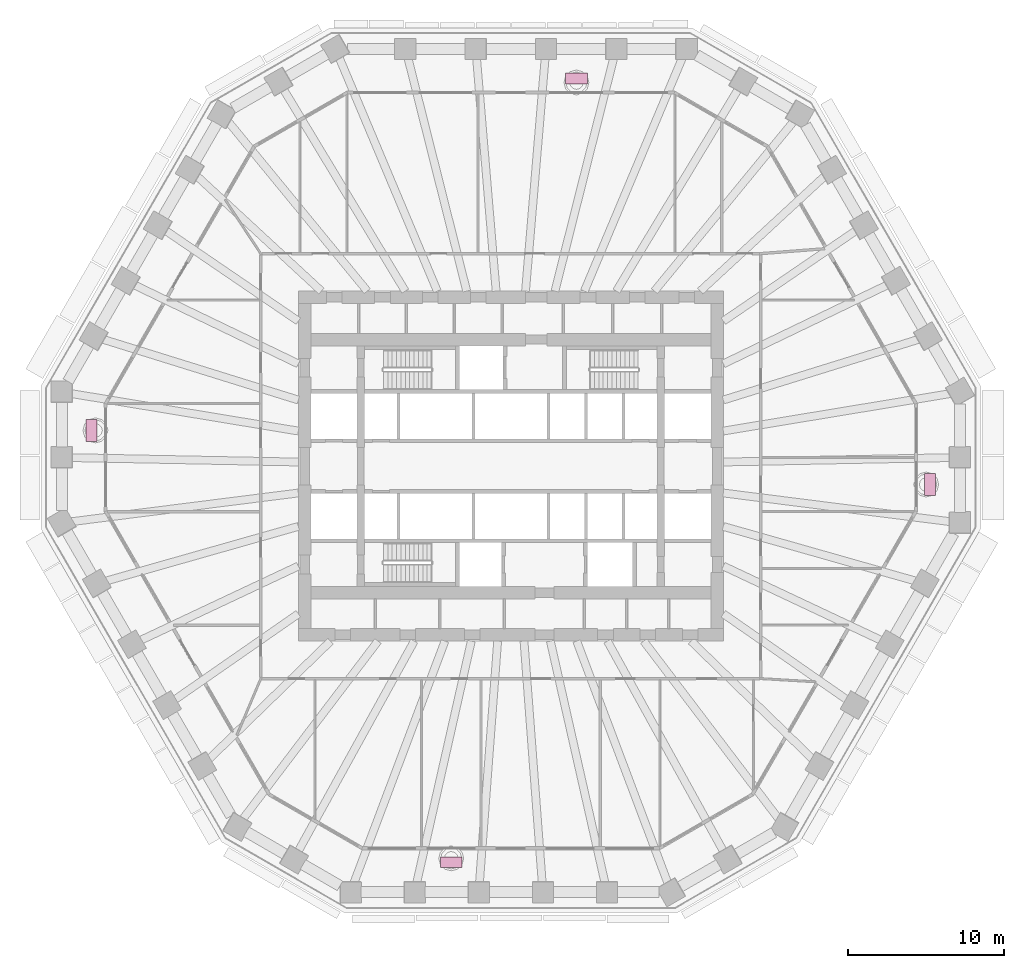
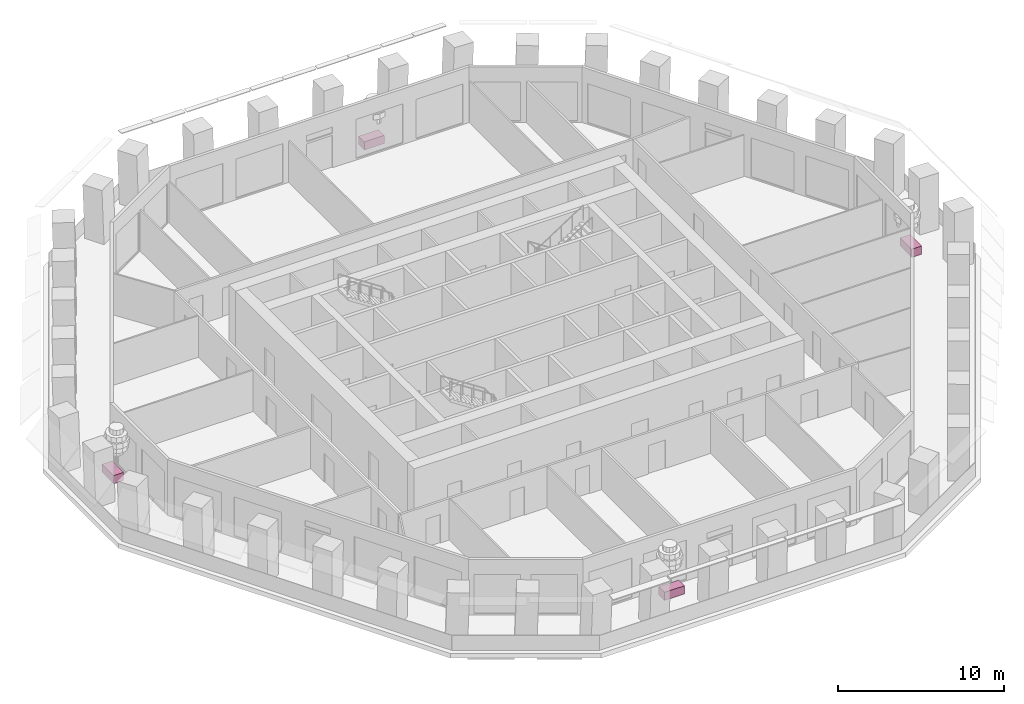
# One storey, part 12 of 13: 4 furniture elements.
"""IFC4 building model written with IfcOpenShell, lengths in metres."""

from ifc_helpers import new_model, si_unit, direction, frame, origin, origin_2d, place, context, subcontext, project, spatial, rectangle, extrude, material, type_object, element, save


model = new_model("IFC4")

# Units and contexts
model_context = context("Model", 3, precision=1e-05, world=origin(), true_north=direction((0.0, 1.0)))
body_context = subcontext(model_context, "Body", "Model", "MODEL_VIEW")
ifc_project = project(units=[si_unit("LENGTHUNIT", "METRE"), si_unit("AREAUNIT", "SQUARE_METRE"), si_unit("VOLUMEUNIT", "CUBIC_METRE"), si_unit("PLANEANGLEUNIT", "RADIAN"), si_unit("MASSUNIT", "GRAM", prefix="KILO")], contexts=[model_context])

# Site, building, storey
site_placement = place(None, origin())
site = spatial("IfcSite", under=ifc_project, at=site_placement, CompositionType="ELEMENT")
building_placement = place(site_placement, origin())
building = spatial("IfcBuilding", under=site, at=building_placement, Name="Frailejon Research Tower", CompositionType="ELEMENT")
storey_placement = place(building_placement, frame((0.0, 0.0, 98.39990234375)))
storey = spatial("IfcBuildingStorey", under=building, at=storey_placement, Name="L21", CompositionType="ELEMENT", Elevation=98.39990234375)

# Furniture
ifc_material = material(Name="Precast concrete C30/37 planter, terracotta", Category="masonry")
furniture_type = type_object("IfcFurnitureType", Name="Loggia planter 1400x700", AssemblyPlace="NOTDEFINED", PredefinedType="USERDEFINED", material=ifc_material)
for number, where, z_axis, x_axis, name in (
    (1, (26.83203125, -1.178955078125, 0.0), (0.0, 0.0, 1.0), (0.0, 1.0, 0.0), "Planter L21"),
    (2, (4.197998046875, 24.800048828125, 0.0), (0.0, 0.0, 1.0), (-1.0, 0.0, 0.0), "Planter L21"),
    (3, (-26.83203125, 2.28515625, 0.0), (0.0, 0.0, 1.0), (0.0, -1.0, 0.0), "Planter L21"),
    (4, (-3.814697265625, -25.35302734375, 0.0), (0.0, 0.0, 1.0), (1.0, 0.0, 0.0), "Planter L21"),
):
    element("IfcFurniture", number, at=place(storey_placement, frame(where, z_axis=z_axis, x_axis=x_axis)), inside=storey, type_object=furniture_type, Name=name, ObjectType="PLANTER", PredefinedType="USERDEFINED", context=body_context, shape_type="SweptSolid", body=[
        extrude(rectangle(XDim=1.39990234375, YDim=0.699951171875, at=origin_2d()), origin(), (0.0, 0.0, 1.0), 0.60009765625),
    ])

save(model, "model.ifc")
